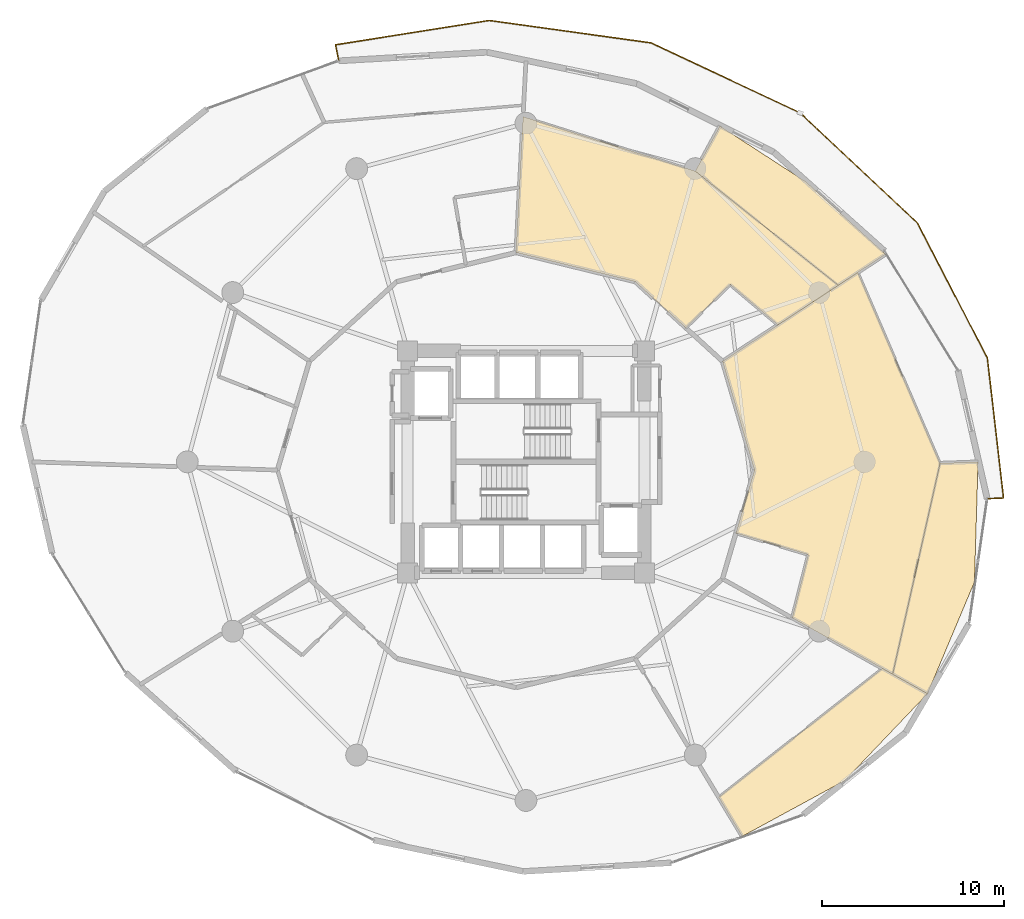
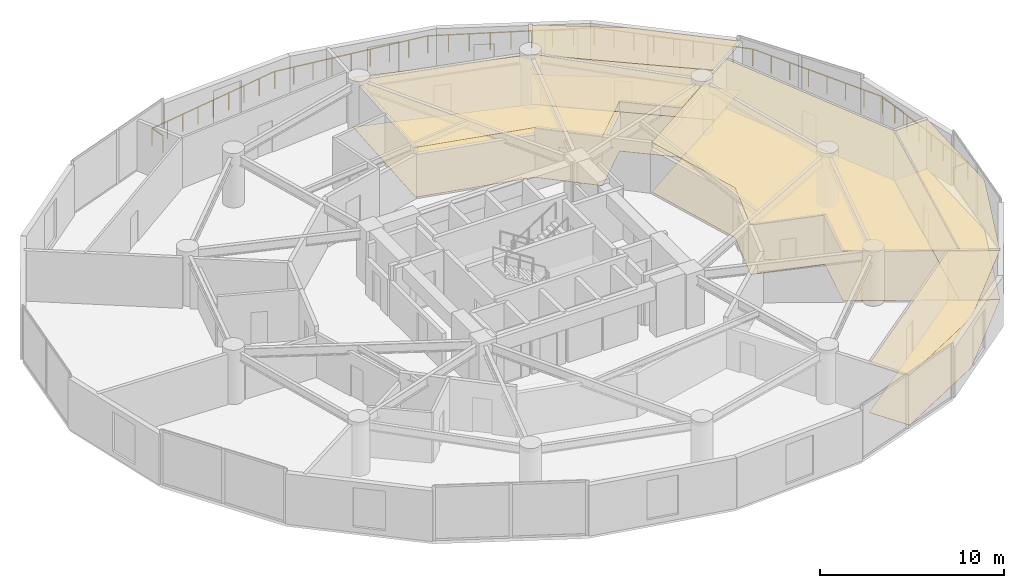
# One storey, part 26 of 26: 10 coverings, 1 railing.
"""IFC4 building model written with IfcOpenShell, lengths in metres."""

from ifc_helpers import new_model, si_unit, direction, frame, origin, origin_2d, place, context, subcontext, project, spatial, polyline, circle, outline, extrude, material, layer, layer_set, type_object, element, save


model = new_model("IFC4")

# Units and contexts
model_context = context("Model", 3, precision=1e-05, world=origin(), true_north=direction((0.0, 1.0)))
body_context = subcontext(model_context, "Body", "Model", "MODEL_VIEW")
ifc_project = project(units=[si_unit("LENGTHUNIT", "METRE"), si_unit("AREAUNIT", "SQUARE_METRE"), si_unit("VOLUMEUNIT", "CUBIC_METRE"), si_unit("PLANEANGLEUNIT", "RADIAN"), si_unit("MASSUNIT", "GRAM", prefix="KILO")], contexts=[model_context])

# Site, building, storey
site_placement = place(None, origin())
site = spatial("IfcSite", under=ifc_project, at=site_placement, CompositionType="ELEMENT")
building_placement = place(site_placement, origin())
building = spatial("IfcBuilding", under=site, at=building_placement, Name="Solvirekh Grand Hotel", CompositionType="ELEMENT")
storey_placement = place(building_placement, frame((0.0, 0.0, 71.60009765625)))
storey = spatial("IfcBuildingStorey", under=building, at=storey_placement, Name="L17", CompositionType="ELEMENT", Elevation=71.60009765625)

# Coverings
ifc_material_1 = material(Name="Acoustic Mineral Ceiling Tile")
ifc_layer_1 = layer(ifc_material_1, 0.02490234375)
ifc_layer_set_1 = layer_set([ifc_layer_1], Name="Acoustic Mineral Ceiling Tile")
covering_type_1 = type_object("IfcCoveringType", Name="Cov_Ceiling_Acoustic", PredefinedType="CEILING", material=ifc_layer_set_1)
covering_1_placement = place(storey_placement, frame((0.0, 0.0, 3.289794921875)))
element("IfcCovering", 1, at=covering_1_placement, inside=storey, type_object=covering_type_1, Name="L17 Presidential Suite 1901 Master Bedroom acoustic ceiling", PredefinedType="CEILING", context=body_context, shape_type="SweptSolid", body=[
    extrude(outline(polyline([(11.876953125, -20.571044921875), (17.510009765625, -17.510009765625), (22.056884765625, -12.735107421875), (19.5791015625, -11.346923828125), (10.583984375, -18.4208984375), (11.876953125, -20.571044921875)])), origin(), (0.0, 0.0, 1.0), 0.01806640625),
])
covering_2_placement = place(storey_placement, frame((0.0, 0.0, 3.289794921875)))
element("IfcCovering", 2, at=covering_2_placement, inside=storey, type_object=covering_type_1, Name="L17 Executive Suite 1902 Living Room acoustic ceiling", PredefinedType="CEILING", context=body_context, shape_type="SweptSolid", body=[
    extrude(outline(polyline([(15.507080078125, -5.095947265625), (14.6240234375, -8.570068359375), (20.14208984375, -11.662109375), (22.7470703125, -0.076904296875), (18.23291015625, 10.406005859375), (10.794921875, 5.52490234375), (12.550048828125, -0.449951171875), (11.531982421875, -3.916015625), (15.507080078125, -5.095947265625)])), origin(), (0.0, 0.0, 1.0), 0.01806640625),
])
covering_3_placement = place(storey_placement, frame((0.0, 0.0, 3.289794921875)))
element("IfcCovering", 3, at=covering_3_placement, inside=storey, type_object=covering_type_1, Name="L17 Executive Suite 1902 Master Bedroom acoustic ceiling", PredefinedType="CEILING", context=body_context, shape_type="SweptSolid", body=[
    extrude(outline(polyline([(22.056884765625, -12.735107421875), (24.635986328125, -6.60107421875), (24.8349609375, 0.0), (22.7470703125, -0.076904296875), (20.14208984375, -11.662109375), (22.056884765625, -12.735107421875)])), origin(), (0.0, 0.0, 1.0), 0.01806640625),
])
covering_4_placement = place(storey_placement, frame((0.0, 0.0, 3.289794921875)))
element("IfcCovering", 4, at=covering_4_placement, inside=storey, type_object=covering_type_1, Name="L17 Executive Suite 1903 Living Room acoustic ceiling", PredefinedType="CEILING", context=body_context, shape_type="SweptSolid", body=[
    extrude(outline(polyline([(11.2119140625, 9.742919921875), (13.842041015625, 7.52490234375), (17.156982421875, 9.700927734375), (9.302978515625, 15.969970703125), (-0.159912109375, 18.964111328125), (-0.550048828125, 11.5), (6.0, 9.89892578125), (8.781005859375, 7.362060546875), (11.2119140625, 9.742919921875)])), origin(), (0.0, 0.0, 1.0), 0.01806640625),
])
covering_5_placement = place(storey_placement, frame((0.0, 0.0, 3.289794921875)))
element("IfcCovering", 5, at=covering_5_placement, inside=storey, type_object=covering_type_1, Name="L17 Executive Suite 1903 Master Bedroom acoustic ceiling", PredefinedType="CEILING", context=body_context, shape_type="SweptSolid", body=[
    extrude(outline(polyline([(19.756103515625, 11.406005859375), (15.381103515625, 15.381103515625), (10.652099609375, 18.448974609375), (9.302978515625, 15.969970703125), (17.156982421875, 9.700927734375), (19.756103515625, 11.406005859375)])), origin(), (0.0, 0.0, 1.0), 0.01806640625),
])
ifc_material_2 = material(Name="Porcelain Stoneware Flooring", Category="masonry")
ifc_layer_2 = layer(ifc_material_2, 0.030029296875)
ifc_layer_set_2 = layer_set([ifc_layer_2], Name="Porcelain Stoneware Flooring")
covering_type_2 = type_object("IfcCoveringType", Name="Cov_Floor_Stone", PredefinedType="FLOORING", material=ifc_layer_set_2)
covering_6_placement = place(storey_placement, origin())
element("IfcCovering", 6, at=covering_6_placement, inside=storey, type_object=covering_type_2, Name="L17 Presidential Suite 1901 Master Bedroom polished granite flooring", PredefinedType="FLOORING", context=body_context, shape_type="SweptSolid", body=[
    extrude(outline(polyline([(11.876953125, -20.571044921875), (17.510009765625, -17.510009765625), (22.056884765625, -12.735107421875), (19.5791015625, -11.346923828125), (10.583984375, -18.4208984375), (11.876953125, -20.571044921875)])), origin(), (0.0, 0.0, 1.0), 0.02001953125),
])
covering_7_placement = place(storey_placement, origin())
element("IfcCovering", 7, at=covering_7_placement, inside=storey, type_object=covering_type_2, Name="L17 Executive Suite 1902 Living Room polished granite flooring", PredefinedType="FLOORING", context=body_context, shape_type="SweptSolid", body=[
    extrude(outline(polyline([(15.507080078125, -5.095947265625), (14.6240234375, -8.570068359375), (20.14208984375, -11.662109375), (22.7470703125, -0.076904296875), (18.23291015625, 10.406005859375), (10.794921875, 5.52490234375), (12.550048828125, -0.449951171875), (11.531982421875, -3.916015625), (15.507080078125, -5.095947265625)])), origin(), (0.0, 0.0, 1.0), 0.02001953125),
])
covering_8_placement = place(storey_placement, origin())
element("IfcCovering", 8, at=covering_8_placement, inside=storey, type_object=covering_type_2, Name="L17 Executive Suite 1902 Master Bedroom polished granite flooring", PredefinedType="FLOORING", context=body_context, shape_type="SweptSolid", body=[
    extrude(outline(polyline([(22.056884765625, -12.735107421875), (24.635986328125, -6.60107421875), (24.8349609375, 0.0), (22.7470703125, -0.076904296875), (20.14208984375, -11.662109375), (22.056884765625, -12.735107421875)])), origin(), (0.0, 0.0, 1.0), 0.02001953125),
])
covering_9_placement = place(storey_placement, origin())
element("IfcCovering", 9, at=covering_9_placement, inside=storey, type_object=covering_type_2, Name="L17 Executive Suite 1903 Living Room polished granite flooring", PredefinedType="FLOORING", context=body_context, shape_type="SweptSolid", body=[
    extrude(outline(polyline([(11.2119140625, 9.742919921875), (13.842041015625, 7.52490234375), (17.156982421875, 9.700927734375), (9.302978515625, 15.969970703125), (-0.159912109375, 18.964111328125), (-0.550048828125, 11.5), (6.0, 9.89892578125), (8.781005859375, 7.362060546875), (11.2119140625, 9.742919921875)])), origin(), (0.0, 0.0, 1.0), 0.02001953125),
])
covering_10_placement = place(storey_placement, origin())
element("IfcCovering", 10, at=covering_10_placement, inside=storey, type_object=covering_type_2, Name="L17 Executive Suite 1903 Master Bedroom polished granite flooring", PredefinedType="FLOORING", context=body_context, shape_type="SweptSolid", body=[
    extrude(outline(polyline([(19.756103515625, 11.406005859375), (15.381103515625, 15.381103515625), (10.652099609375, 18.448974609375), (9.302978515625, 15.969970703125), (17.156982421875, 9.700927734375), (19.756103515625, 11.406005859375)])), origin(), (0.0, 0.0, 1.0), 0.02001953125),
])

# Railing
ifc_material_3 = material(Name="Anodized Bronze Aluminium 6063-T6", Category="aluminium")
railing_type = type_object("IfcRailingType", Name="Guard_ExtGlass_1150", PredefinedType="BALUSTRADE", material=ifc_material_3)
railing_placement = place(storey_placement, frame((25.3359375, -2.02490234375, 0.0)))
element("IfcRailing", 11, at=railing_placement, inside=storey, type_object=railing_type, Name="L17 balc perimeter glass balustrade", PredefinedType="BALUSTRADE", context=body_context, shape_type="SweptSolid", body=[
    extrude(circle(Radius=0.02392578125, at=origin_2d()), frame((0.0, 0.0, 1.1259765625), z_axis=(0.999022077694, 0.044214118562, 0.0), x_axis=(-0.044214118562, 0.999022077694, 0.0)), (0.0, 0.0, 1.0), 0.900146484375),
    extrude(circle(Radius=0.02392578125, at=origin_2d()), frame((0.899169921875, 0.039794921875, 1.1259765625), z_axis=(-0.11469838338, 0.99340036282, 0.0), x_axis=(-0.99340036282, -0.11469838338, 0.0)), (0.0, 0.0, 1.0), 7.735107421875),
    extrude(circle(Radius=0.02392578125, at=origin_2d()), frame((0.011962890625, 7.723876953125, 1.1259765625), z_axis=(-0.460031512196, 0.887902589131, 0.0), x_axis=(-0.887902589131, -0.460031512196, 0.0)), (0.0, 0.0, 1.0), 8.358154296875),
    extrude(circle(Radius=0.02392578125, at=origin_2d()), frame((-3.8330078125, 15.14501953125, 1.1259765625), z_axis=(-0.728735230471, 0.68479556356, 0.0), x_axis=(-0.68479556356, -0.728735230471, 0.0)), (0.0, 0.0, 1.0), 8.83447265625),
    extrude(circle(Radius=0.02392578125, at=origin_2d()), frame((-10.27099609375, 21.19482421875, 1.1259765625), z_axis=(-0.905312889118, 0.424745303443, 0.0), x_axis=(-0.424745303443, -0.905312889118, 0.0)), (0.0, 0.0, 1.0), 9.0576171875),
    extrude(circle(Radius=0.02392578125, at=origin_2d()), frame((-18.470947265625, 25.0419921875, 1.1259765625), z_axis=(-0.990528110717, 0.13731009387, 0.0), x_axis=(-0.13731009387, -0.990528110717, 0.0)), (0.0, 0.0, 1.0), 8.96484375),
    extrude(circle(Radius=0.02392578125, at=origin_2d()), frame((-27.350830078125, 26.27294921875, 1.1259765625), z_axis=(-0.987683679162, -0.156463893335, 0.0), x_axis=(0.156463893335, -0.987683679162, 0.0)), (0.0, 0.0, 1.0), 8.55224609375),
    extrude(circle(Radius=0.02392578125, at=origin_2d()), frame((-35.7978515625, 24.934814453125, 1.1259765625), z_axis=(0.197838069728, -0.980234715854, 0.0), x_axis=(0.980234715854, 0.197838069728, 0.0)), (0.0, 0.0, 1.0), 0.899658203125),
    extrude(circle(Radius=0.02099609375, at=origin_2d()), origin(), (0.0, 0.0, 1.0), 1.101806640625),
    extrude(circle(Radius=0.02099609375, at=origin_2d()), frame((0.899169921875, 0.039794921875, 0.0)), (0.0, 0.0, 1.0), 1.101806640625),
    extrude(circle(Radius=0.02099609375, at=origin_2d()), frame((0.7724609375, 1.137451171875, 0.0)), (0.0, 0.0, 1.0), 1.101806640625),
    extrude(circle(Radius=0.02099609375, at=origin_2d()), frame((0.645751953125, 2.2353515625, 0.0)), (0.0, 0.0, 1.0), 1.101806640625),
    extrude(circle(Radius=0.02099609375, at=origin_2d()), frame((0.51904296875, 3.3330078125, 0.0)), (0.0, 0.0, 1.0), 1.101806640625),
    extrude(circle(Radius=0.02099609375, at=origin_2d()), frame((0.39208984375, 4.4306640625, 0.0)), (0.0, 0.0, 1.0), 1.101806640625),
    extrude(circle(Radius=0.02099609375, at=origin_2d()), frame((0.265380859375, 5.5283203125, 0.0)), (0.0, 0.0, 1.0), 1.101806640625),
    extrude(circle(Radius=0.02099609375, at=origin_2d()), frame((0.138671875, 6.626220703125, 0.0)), (0.0, 0.0, 1.0), 1.101806640625),
    extrude(circle(Radius=0.02099609375, at=origin_2d()), frame((0.011962890625, 7.723876953125, 0.0)), (0.0, 0.0, 1.0), 1.101806640625),
    extrude(circle(Radius=0.02099609375, at=origin_2d()), frame((-0.537353515625, 8.783935546875, 0.0)), (0.0, 0.0, 1.0), 1.101806640625),
    extrude(circle(Radius=0.02099609375, at=origin_2d()), frame((-1.086669921875, 9.84423828125, 0.0)), (0.0, 0.0, 1.0), 1.101806640625),
    extrude(circle(Radius=0.02099609375, at=origin_2d()), frame((-1.635986328125, 10.904296875, 0.0)), (0.0, 0.0, 1.0), 1.101806640625),
    extrude(circle(Radius=0.02099609375, at=origin_2d()), frame((-2.18505859375, 11.964599609375, 0.0)), (0.0, 0.0, 1.0), 1.101806640625),
    extrude(circle(Radius=0.02099609375, at=origin_2d()), frame((-2.734375, 13.024658203125, 0.0)), (0.0, 0.0, 1.0), 1.101806640625),
    extrude(circle(Radius=0.02099609375, at=origin_2d()), frame((-3.28369140625, 14.0849609375, 0.0)), (0.0, 0.0, 1.0), 1.101806640625),
    extrude(circle(Radius=0.02099609375, at=origin_2d()), frame((-3.8330078125, 15.14501953125, 0.0)), (0.0, 0.0, 1.0), 1.101806640625),
    extrude(circle(Radius=0.02099609375, at=origin_2d()), frame((-4.6376953125, 15.9013671875, 0.0)), (0.0, 0.0, 1.0), 1.101806640625),
    extrude(circle(Radius=0.02099609375, at=origin_2d()), frame((-5.4423828125, 16.657470703125, 0.0)), (0.0, 0.0, 1.0), 1.101806640625),
    extrude(circle(Radius=0.02099609375, at=origin_2d()), frame((-6.247314453125, 17.41357421875, 0.0)), (0.0, 0.0, 1.0), 1.101806640625),
    extrude(circle(Radius=0.02099609375, at=origin_2d()), frame((-7.052001953125, 18.169921875, 0.0)), (0.0, 0.0, 1.0), 1.101806640625),
    extrude(circle(Radius=0.02099609375, at=origin_2d()), frame((-7.856689453125, 18.92626953125, 0.0)), (0.0, 0.0, 1.0), 1.101806640625),
    extrude(circle(Radius=0.02099609375, at=origin_2d()), frame((-8.66162109375, 19.682373046875, 0.0)), (0.0, 0.0, 1.0), 1.101806640625),
    extrude(circle(Radius=0.02099609375, at=origin_2d()), frame((-9.46630859375, 20.4384765625, 0.0)), (0.0, 0.0, 1.0), 1.101806640625),
    extrude(circle(Radius=0.02099609375, at=origin_2d()), frame((-10.27099609375, 21.19482421875, 0.0)), (0.0, 0.0, 1.0), 1.101806640625),
    extrude(circle(Radius=0.02099609375, at=origin_2d()), frame((-11.2958984375, 21.67578125, 0.0)), (0.0, 0.0, 1.0), 1.101806640625),
    extrude(circle(Radius=0.02099609375, at=origin_2d()), frame((-12.321044921875, 22.15673828125, 0.0)), (0.0, 0.0, 1.0), 1.101806640625),
    extrude(circle(Radius=0.02099609375, at=origin_2d()), frame((-13.345947265625, 22.637451171875, 0.0)), (0.0, 0.0, 1.0), 1.101806640625),
    extrude(circle(Radius=0.02099609375, at=origin_2d()), frame((-14.37109375, 23.118408203125, 0.0)), (0.0, 0.0, 1.0), 1.101806640625),
    extrude(circle(Radius=0.02099609375, at=origin_2d()), frame((-15.39599609375, 23.599365234375, 0.0)), (0.0, 0.0, 1.0), 1.101806640625),
    extrude(circle(Radius=0.02099609375, at=origin_2d()), frame((-16.4208984375, 24.080078125, 0.0)), (0.0, 0.0, 1.0), 1.101806640625),
    extrude(circle(Radius=0.02099609375, at=origin_2d()), frame((-17.446044921875, 24.56103515625, 0.0)), (0.0, 0.0, 1.0), 1.101806640625),
    extrude(circle(Radius=0.02099609375, at=origin_2d()), frame((-18.470947265625, 25.0419921875, 0.0)), (0.0, 0.0, 1.0), 1.101806640625),
    extrude(circle(Radius=0.02099609375, at=origin_2d()), frame((-19.5810546875, 25.19580078125, 0.0)), (0.0, 0.0, 1.0), 1.101806640625),
    extrude(circle(Radius=0.02099609375, at=origin_2d()), frame((-20.69091796875, 25.349609375, 0.0)), (0.0, 0.0, 1.0), 1.101806640625),
    extrude(circle(Radius=0.02099609375, at=origin_2d()), frame((-21.80078125, 25.503662109375, 0.0)), (0.0, 0.0, 1.0), 1.101806640625),
    extrude(circle(Radius=0.02099609375, at=origin_2d()), frame((-22.910888671875, 25.657470703125, 0.0)), (0.0, 0.0, 1.0), 1.101806640625),
    extrude(circle(Radius=0.02099609375, at=origin_2d()), frame((-24.02099609375, 25.811279296875, 0.0)), (0.0, 0.0, 1.0), 1.101806640625),
    extrude(circle(Radius=0.02099609375, at=origin_2d()), frame((-25.130859375, 25.96533203125, 0.0)), (0.0, 0.0, 1.0), 1.101806640625),
    extrude(circle(Radius=0.02099609375, at=origin_2d()), frame((-26.24072265625, 26.119140625, 0.0)), (0.0, 0.0, 1.0), 1.101806640625),
    extrude(circle(Radius=0.02099609375, at=origin_2d()), frame((-27.350830078125, 26.27294921875, 0.0)), (0.0, 0.0, 1.0), 1.101806640625),
    extrude(circle(Radius=0.02099609375, at=origin_2d()), frame((-28.40673828125, 26.105712890625, 0.0)), (0.0, 0.0, 1.0), 1.101806640625),
    extrude(circle(Radius=0.02099609375, at=origin_2d()), frame((-29.462646484375, 25.9384765625, 0.0)), (0.0, 0.0, 1.0), 1.101806640625),
    extrude(circle(Radius=0.02099609375, at=origin_2d()), frame((-30.5185546875, 25.771240234375, 0.0)), (0.0, 0.0, 1.0), 1.101806640625),
    extrude(circle(Radius=0.02099609375, at=origin_2d()), frame((-31.57421875, 25.60400390625, 0.0)), (0.0, 0.0, 1.0), 1.101806640625),
    extrude(circle(Radius=0.02099609375, at=origin_2d()), frame((-32.630126953125, 25.4365234375, 0.0)), (0.0, 0.0, 1.0), 1.101806640625),
    extrude(circle(Radius=0.02099609375, at=origin_2d()), frame((-33.68603515625, 25.269287109375, 0.0)), (0.0, 0.0, 1.0), 1.101806640625),
    extrude(circle(Radius=0.02099609375, at=origin_2d()), frame((-34.741943359375, 25.10205078125, 0.0)), (0.0, 0.0, 1.0), 1.101806640625),
    extrude(circle(Radius=0.02099609375, at=origin_2d()), frame((-35.7978515625, 24.934814453125, 0.0)), (0.0, 0.0, 1.0), 1.101806640625),
    extrude(circle(Radius=0.02099609375, at=origin_2d()), frame((-35.619873046875, 24.052978515625, 0.0)), (0.0, 0.0, 1.0), 1.101806640625),
])

save(model, "model.ifc")
